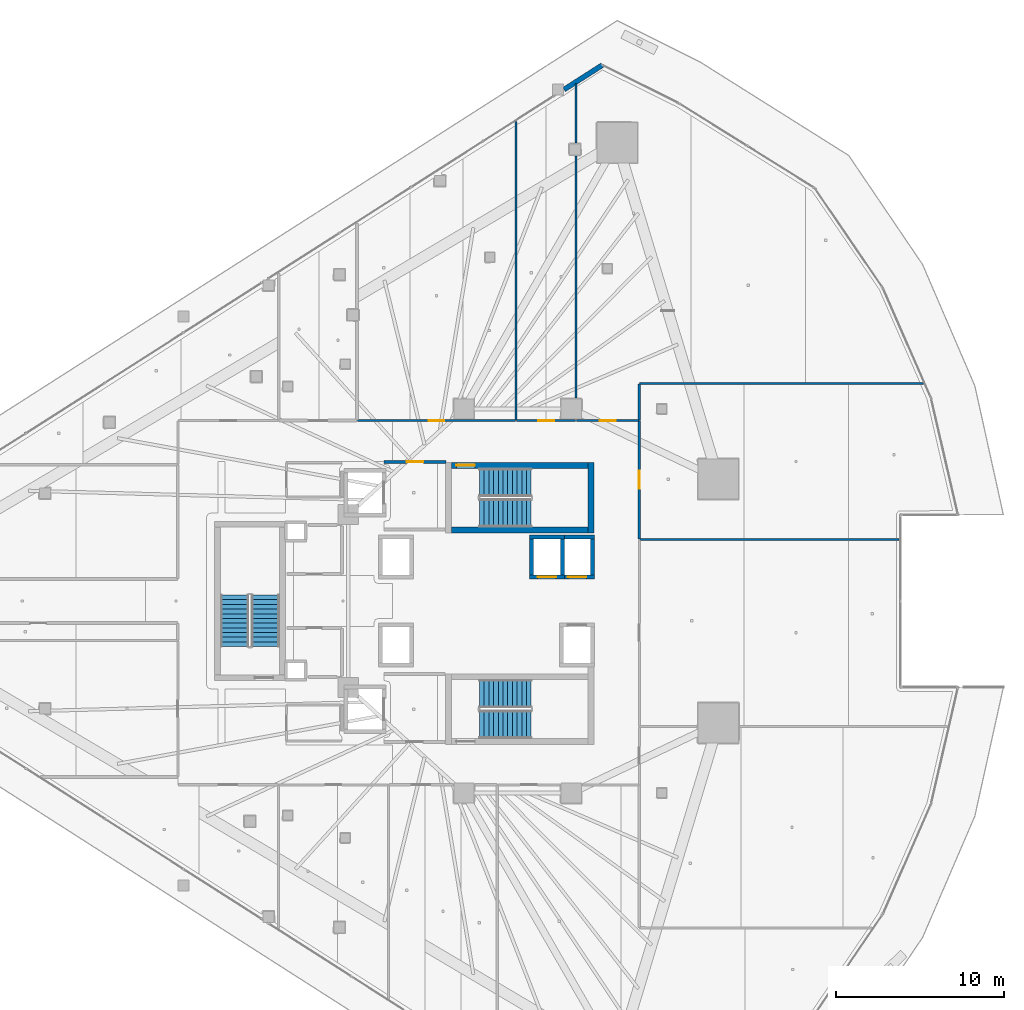
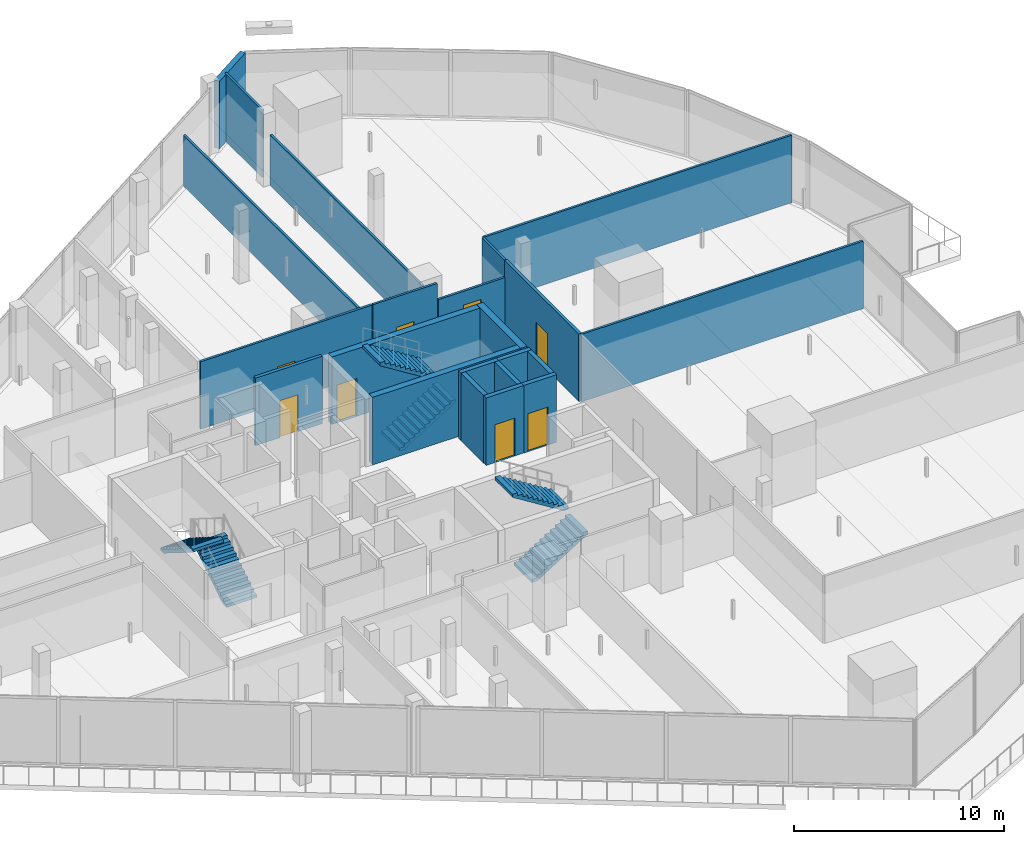
# One storey, part 32 of 46: 22 walls, 8 doors, 6 stair flights, 8 openings, 3 elements without a shape of their own.
"""IFC4 building model written with IfcOpenShell, lengths in metres."""

from ifc_helpers import new_model, si_unit, direction, frame, frame_2d, origin, place, context, subcontext, project, spatial, polyline, rectangle, outline, extrude, material, layer, layer_set, type_object, element, fill, aggregate, save


model = new_model("IFC4")

# Units and contexts
model_context = context("Model", 3, precision=1e-05, world=origin(), true_north=direction((0.0, 1.0)))
body_context = subcontext(model_context, "Body", "Model", "MODEL_VIEW")
ifc_project = project(units=[si_unit("LENGTHUNIT", "METRE"), si_unit("AREAUNIT", "SQUARE_METRE"), si_unit("VOLUMEUNIT", "CUBIC_METRE"), si_unit("PLANEANGLEUNIT", "RADIAN"), si_unit("MASSUNIT", "GRAM", prefix="KILO")], contexts=[model_context])

# Site, building, storey
site_placement = place(None, origin())
site = spatial("IfcSite", under=ifc_project, at=site_placement, CompositionType="ELEMENT")
building_placement = place(site_placement, origin())
building = spatial("IfcBuilding", under=site, at=building_placement, Name="Qorvath Tower", CompositionType="ELEMENT")
storey_placement = place(building_placement, frame((0.0, 0.0, 87.0)))
storey = spatial("IfcBuildingStorey", under=building, at=storey_placement, Name="L19", CompositionType="ELEMENT", Elevation=87.0)

# Wall, opening, door
ifc_material_1 = material(Name="Gypsum shaftliner on steel studs", Category="steel")
ifc_layer_1 = layer(ifc_material_1, 0.179931640625)
ifc_layer_set_1 = layer_set([ifc_layer_1], Name="FW-LOBBY")
wall_type_1 = type_object("IfcWallType", Name="FW-LOBBY", PredefinedType="PARTITIONING", material=ifc_layer_set_1)
wall_1_placement = place(storey_placement, frame((-24.68408203125, 8.300048828125, 0.0), z_axis=(0.0, 0.0, 1.0), x_axis=(-1.0, 0.0, 0.0)))
wall_1 = element("IfcWall", 1, at=wall_1_placement, inside=storey, type_object=wall_type_1, Name="Interior Partition IW-T1-L19-002", PredefinedType="PARTITIONING", context=body_context, shape_type="SweptSolid", body=[
    extrude(rectangle(XDim=3.6708984375, YDim=0.179931640625, at=frame_2d((1.83544921875, 0.0))), origin(), (0.0, 0.0, 1.0), 3.919921875),
])
opening_1_placement = place(wall_1_placement, frame((1.33544921875, 0.0, 0.0)))
opening_1 = element("IfcOpeningElement", 2, at=opening_1_placement, cuts=wall_1, Name="Opening D-T1-L19-18", PredefinedType="OPENING", context=body_context, shape_type="SweptSolid", body=[
    extrude(rectangle(XDim=1.0, YDim=2.14990234375, at=frame_2d((0.5, 1.074951171875))), frame((0.0, 0.10009765625, 0.0), z_axis=(0.0, -1.0, 0.0), x_axis=(1.0, 0.0, 0.0)), (0.0, 0.0, 1.0), 0.199951171875),
])
ifc_material_2 = material(Name="Painted galvanised hollow metal", Category="steel")
door_type_1 = type_object("IfcDoorType", Name="FD-60", OperationType="NOTDEFINED", PredefinedType="DOOR", material=ifc_material_2)
door_1_placement = place(opening_1_placement, origin())
door_1 = element("IfcDoor", 3, at=door_1_placement, inside=storey, type_object=door_type_1, Name="Lobby Fire Service Elevator North Door D-T1-L19-18", OperationType="SINGLE_SWING_LEFT", OverallHeight=2.14990234375, OverallWidth=1.0, PredefinedType="DOOR", context=body_context, shape_type="SweptSolid", body=[
    extrude(rectangle(XDim=1.0, YDim=2.14990234375, at=frame_2d((0.5, 1.074951171875))), frame((0.0, 0.02490234375, 0.0), z_axis=(0.0, -1.0, 0.0), x_axis=(1.0, 0.0, 0.0)), (0.0, 0.0, 1.0), 0.050048828125),
])
fill(opening_1, door_1)

ifc_material_3 = material(Name="Double acoustic gypsum board on steel studs", Category="steel")
ifc_layer_2 = layer(ifc_material_3, 0.159912109375)
ifc_layer_set_2 = layer_set([ifc_layer_2], Name="IW-ACOUSTIC-160")
wall_type_2 = type_object("IfcWallType", Name="IW-ACOUSTIC-160", PredefinedType="PARTITIONING", material=ifc_layer_set_2)
wall_2_placement = place(storey_placement, frame((-13.14208984375, 10.75830078125, 0.0), z_axis=(0.0, 0.0, 1.0), x_axis=(0.0, -1.0, 0.0)))
wall_2 = element("IfcWall", 4, at=wall_2_placement, inside=storey, type_object=wall_type_2, Name="Interior Partition IW-T1-L19-046", PredefinedType="PARTITIONING", context=body_context, shape_type="SweptSolid", body=[
    extrude(rectangle(XDim=7.0576171875, YDim=0.159912109375, at=frame_2d((3.52880859375, 0.0))), origin(), (0.0, 0.0, 1.0), 3.919921875),
])
opening_2_placement = place(wall_2_placement, frame((2.978759765625, 0.0, 0.0)))
opening_2 = element("IfcOpeningElement", 5, at=opening_2_placement, cuts=wall_2, Name="Opening D-T1-L19-14", PredefinedType="OPENING", context=body_context, shape_type="SweptSolid", body=[
    extrude(rectangle(XDim=1.10009765625, YDim=2.14990234375, at=frame_2d((0.550048828125, 1.074951171875))), frame((0.0, 0.08984375, 0.0), z_axis=(0.0, -1.0, 0.0), x_axis=(1.0, 0.0, 0.0)), (0.0, 0.0, 1.0), 0.179931640625),
])
ifc_material_4 = material(Name="Anodised aluminium acoustic framed glass", Category="aluminium")
door_type_2 = type_object("IfcDoorType", Name="D-03", OperationType="NOTDEFINED", PredefinedType="DOOR", material=ifc_material_4)
door_2_placement = place(opening_2_placement, origin())
door_2 = element("IfcDoor", 6, at=door_2_placement, inside=storey, type_object=door_type_2, Name="L19-10 Enclosed Conference Suite Door D-T1-L19-14", OperationType="SINGLE_SWING_LEFT", OverallHeight=2.14990234375, OverallWidth=1.10009765625, PredefinedType="DOOR", context=body_context, shape_type="SweptSolid", body=[
    extrude(rectangle(XDim=1.10009765625, YDim=2.14990234375, at=frame_2d((0.550048828125, 1.074951171875))), frame((0.0, 0.02490234375, 0.0), z_axis=(0.0, -1.0, 0.0), x_axis=(1.0, 0.0, 0.0)), (0.0, 0.0, 1.0), 0.050048828125),
])
fill(opening_2, door_2)

ifc_material_5 = material(Name="Gypsum board on metal studs with mineral wool", Category="gypsum")
ifc_layer_3 = layer(ifc_material_5, 0.125)
ifc_layer_set_3 = layer_set([ifc_layer_3], Name="IW-PART-125")
wall_type_3 = type_object("IfcWallType", Name="IW-PART-125", PredefinedType="PARTITIONING", material=ifc_layer_set_3)
wall_3_placement = place(storey_placement, frame((-29.94580078125, 10.758056640625, 0.0), z_axis=(0.0, 0.0, 1.0), x_axis=(1.0, 0.0, 0.0)))
wall_3 = element("IfcWall", 7, at=wall_3_placement, inside=storey, type_object=wall_type_3, Name="Interior Partition IW-T1-L19-023", PredefinedType="PARTITIONING", context=body_context, shape_type="SweptSolid", body=[
    extrude(rectangle(XDim=9.42138671875, YDim=0.125, at=frame_2d((4.710693359375, 0.0))), origin(), (0.0, 0.0, 1.0), 3.919921875),
])
opening_3_placement = place(wall_3_placement, frame((4.235595703125, 0.0, 0.0)))
opening_3 = element("IfcOpeningElement", 8, at=opening_3_placement, cuts=wall_3, Name="Opening D-T1-L19-06", PredefinedType="OPENING", context=body_context, shape_type="SweptSolid", body=[
    extrude(rectangle(XDim=0.949951171875, YDim=2.14990234375, at=frame_2d((0.47509765625, 1.074951171875))), frame((0.0, 0.072509765625, 0.0), z_axis=(0.0, -1.0, 0.0), x_axis=(1.0, 0.0, 0.0)), (0.0, 0.0, 1.0), 0.14501953125),
])
ifc_material_6 = material(Name="Solid-core American white oak veneer", Category="wood")
door_type_3 = type_object("IfcDoorType", Name="D-01", OperationType="NOTDEFINED", PredefinedType="DOOR", material=ifc_material_6)
door_3_placement = place(opening_3_placement, origin())
door_3 = element("IfcDoor", 9, at=door_3_placement, inside=storey, type_object=door_type_3, Name="L19-02 Project Collaboration Workspace Door D-T1-L19-06", OperationType="SINGLE_SWING_LEFT", OverallHeight=2.14990234375, OverallWidth=0.949951171875, PredefinedType="DOOR", context=body_context, shape_type="SweptSolid", body=[
    extrude(rectangle(XDim=0.949951171875, YDim=2.14990234375, at=frame_2d((0.47509765625, 1.074951171875))), frame((0.0, 0.02490234375, 0.0), z_axis=(0.0, -1.0, 0.0), x_axis=(1.0, 0.0, 0.0)), (0.0, 0.0, 1.0), 0.050048828125),
])
fill(opening_3, door_3)

# Wall
wall_4_placement = place(storey_placement, frame((-20.499267578125, 10.783203125, 0.0), z_axis=(0.0, 0.0, 1.0), x_axis=(-0.000246947448, 0.999999969508, 0.0)))
element("IfcWall", 10, at=wall_4_placement, inside=storey, type_object=wall_type_3, Name="Interior Partition IW-T1-L19-024", PredefinedType="PARTITIONING", context=body_context, shape_type="SweptSolid", body=[
    extrude(rectangle(XDim=17.79541015625, YDim=0.125, at=frame_2d((8.897705078125, 0.0))), origin(), (0.0, 0.0, 1.0), 2.956787109375),
])

# Wall, opening, door
wall_5_placement = place(storey_placement, frame((-20.46630859375, 10.758056640625, 0.0), z_axis=(0.0, 0.0, 1.0), x_axis=(1.0, 0.0, 0.0)))
wall_5 = element("IfcWall", 11, at=wall_5_placement, inside=storey, type_object=wall_type_3, Name="Interior Partition IW-T1-L19-025", PredefinedType="PARTITIONING", context=body_context, shape_type="SweptSolid", body=[
    extrude(rectangle(XDim=3.522705078125, YDim=0.125, at=frame_2d((1.76123046875, 0.0))), origin(), (0.0, 0.0, 1.0), 3.919921875),
])
opening_4_placement = place(wall_5_placement, frame((1.286376953125, 0.0, 0.0)))
opening_4 = element("IfcOpeningElement", 12, at=opening_4_placement, cuts=wall_5, Name="Opening D-T1-L19-07", PredefinedType="OPENING", context=body_context, shape_type="SweptSolid", body=[
    extrude(rectangle(XDim=0.949951171875, YDim=2.14990234375, at=frame_2d((0.47509765625, 1.074951171875))), frame((0.0, 0.072509765625, 0.0), z_axis=(0.0, -1.0, 0.0), x_axis=(1.0, 0.0, 0.0)), (0.0, 0.0, 1.0), 0.14501953125),
])
door_4_placement = place(opening_4_placement, origin())
door_4 = element("IfcDoor", 13, at=door_4_placement, inside=storey, type_object=door_type_3, Name="L19-03 Design Pin-Up Atelier Door D-T1-L19-07", OperationType="SINGLE_SWING_RIGHT", OverallHeight=2.14990234375, OverallWidth=0.949951171875, PredefinedType="DOOR", context=body_context, shape_type="SweptSolid", body=[
    extrude(rectangle(XDim=0.949951171875, YDim=2.14990234375, at=frame_2d((0.47509765625, 1.074951171875))), frame((0.0, 0.02490234375, 0.0), z_axis=(0.0, -1.0, 0.0), x_axis=(1.0, 0.0, 0.0)), (0.0, 0.0, 1.0), 0.050048828125),
])
fill(opening_4, door_4)

# Walls
wall_6_placement = place(storey_placement, frame((-16.918701171875, 12.114990234375, 0.0), z_axis=(0.0, 0.0, 1.0), x_axis=(0.0, 1.0, 0.0)))
element("IfcWall", 14, at=wall_6_placement, inside=storey, type_object=wall_type_3, Name="Interior Partition IW-T1-L19-026", PredefinedType="PARTITIONING", context=body_context, shape_type="SweptSolid", body=[
    extrude(rectangle(XDim=14.42431640625, YDim=0.125, at=frame_2d((7.212158203125, 0.0))), origin(), (0.0, 0.0, 1.0), 2.956787109375),
])
wall_7_placement = place(storey_placement, frame((-16.918701171875, 27.319091796875, 0.0), z_axis=(0.0, 0.0, 1.0), x_axis=(0.0, 1.0, 0.0)))
element("IfcWall", 15, at=wall_7_placement, inside=storey, type_object=wall_type_3, Name="Interior Partition IW-T1-L19-027", PredefinedType="PARTITIONING", context=body_context, shape_type="SweptSolid", body=[
    extrude(rectangle(XDim=3.55078125, YDim=0.125, at=frame_2d((1.775390625, 0.0))), origin(), (0.0, 0.0, 1.0), 3.919921875),
])

# Wall, opening, door
wall_8_placement = place(storey_placement, frame((-16.885498046875, 10.758056640625, 0.0), z_axis=(0.0, 0.0, 1.0), x_axis=(1.0, 0.0, 0.0)))
wall_8 = element("IfcWall", 16, at=wall_8_placement, inside=storey, type_object=wall_type_3, Name="Interior Partition IW-T1-L19-028", PredefinedType="PARTITIONING", context=body_context, shape_type="SweptSolid", body=[
    extrude(rectangle(XDim=3.710693359375, YDim=0.125, at=frame_2d((1.85546875, 0.0))), origin(), (0.0, 0.0, 1.0), 2.956787109375),
])
opening_5_placement = place(wall_8_placement, frame((1.38037109375, 0.0, 0.0)))
opening_5 = element("IfcOpeningElement", 17, at=opening_5_placement, cuts=wall_8, Name="Opening D-T1-L19-08", PredefinedType="OPENING", context=body_context, shape_type="SweptSolid", body=[
    extrude(rectangle(XDim=0.949951171875, YDim=2.14990234375, at=frame_2d((0.47509765625, 1.074951171875))), frame((0.0, 0.072509765625, 0.0), z_axis=(0.0, -1.0, 0.0), x_axis=(1.0, 0.0, 0.0)), (0.0, 0.0, 1.0), 0.14501953125),
])
door_5_placement = place(opening_5_placement, origin())
door_5 = element("IfcDoor", 18, at=door_5_placement, inside=storey, type_object=door_type_3, Name="L19-04 Executive Partner Office Door D-T1-L19-08", OperationType="SINGLE_SWING_LEFT", OverallHeight=2.14990234375, OverallWidth=0.949951171875, PredefinedType="DOOR", context=body_context, shape_type="SweptSolid", body=[
    extrude(rectangle(XDim=0.949951171875, YDim=2.14990234375, at=frame_2d((0.47509765625, 1.074951171875))), frame((0.0, 0.02490234375, 0.0), z_axis=(0.0, -1.0, 0.0), x_axis=(1.0, 0.0, 0.0)), (0.0, 0.0, 1.0), 0.050048828125),
])
fill(opening_5, door_5)

# Walls
wall_9_placement = place(storey_placement, frame((-13.14990234375, 12.934814453125, 0.0), z_axis=(0.0, 0.0, 1.0), x_axis=(0.0, -1.0, 0.0)))
element("IfcWall", 19, at=wall_9_placement, inside=storey, type_object=wall_type_3, Name="Interior Partition IW-T1-L19-029", PredefinedType="PARTITIONING", context=body_context, shape_type="SweptSolid", body=[
    extrude(rectangle(XDim=2.151611328125, YDim=0.125, at=frame_2d((1.07568359375, 0.0))), origin(), (0.0, 0.0, 1.0), 3.919921875),
])
wall_10_placement = place(storey_placement, frame((-13.125, 12.959716796875, 0.0), z_axis=(0.0, 0.0, 1.0), x_axis=(0.999999707657, 0.000764647101, 0.0)))
element("IfcWall", 20, at=wall_10_placement, inside=storey, type_object=wall_type_3, Name="Interior Partition IW-T1-L19-030", PredefinedType="PARTITIONING", context=body_context, shape_type="SweptSolid", body=[
    extrude(rectangle(XDim=16.922119140625, YDim=0.125, at=frame_2d((8.4609375, 0.0))), origin(), (0.0, 0.0, 1.0), 3.919921875),
])
wall_11_placement = place(storey_placement, frame((2.35400390625, 3.66796875, 0.0), z_axis=(0.0, 0.0, 1.0), x_axis=(-1.0, 0.0, 0.0)))
element("IfcWall", 21, at=wall_11_placement, inside=storey, type_object=wall_type_3, Name="Interior Partition IW-T1-L19-044", PredefinedType="PARTITIONING", context=body_context, shape_type="SweptSolid", body=[
    extrude(rectangle(XDim=15.47119140625, YDim=0.125, at=frame_2d((7.735595703125, 0.0))), origin(), (0.0, 0.0, 1.0), 3.919921875),
])

# Wall, opening, door
ifc_material_7 = material(Name="Concrete C60/75", Category="concrete")
ifc_layer_4 = layer(ifc_material_7, 0.260009765625)
ifc_layer_set_4 = layer_set([ifc_layer_4], Name="SW-SHAFT")
wall_type_4 = type_object("IfcWallType", Name="SW-SHAFT", PredefinedType="SHEAR", material=ifc_layer_set_4)
wall_12_placement = place(storey_placement, frame((-17.610107421875, 1.429931640625, 0.0), z_axis=(0.0, 0.0, 1.0), x_axis=(-1.0, 0.0, 0.0)))
wall_12 = element("IfcWall", 22, at=wall_12_placement, inside=storey, type_object=wall_type_4, Name="Hoistway Wall PL-1 L19 S", PredefinedType="SHEAR", context=body_context, shape_type="SweptSolid", body=[
    extrude(rectangle(XDim=2.079833984375, YDim=0.239990234375, at=frame_2d((1.0400390625, 0.0))), origin(), (0.0, 0.0, 1.0), 3.919921875),
])
opening_6_placement = place(wall_12_placement, frame((0.48974609375, 0.0, 0.0)))
opening_6 = element("IfcOpeningElement", 23, at=opening_6_placement, cuts=wall_12, Name="Opening LD-PL-1-L19", PredefinedType="OPENING", context=body_context, shape_type="SweptSolid", body=[
    extrude(rectangle(XDim=1.10009765625, YDim=2.199951171875, at=frame_2d((0.550048828125, 1.10009765625))), frame((0.0, 0.1298828125, 0.0), z_axis=(0.0, -1.0, 0.0), x_axis=(1.0, 0.0, 0.0)), (0.0, 0.0, 1.0), 0.260009765625),
])
ifc_material_8 = material(Name="Brushed stainless steel AISI 316", Category="steel")
door_type_4 = type_object("IfcDoorType", Name="LD-01", OperationType="NOTDEFINED", PredefinedType="DOOR", material=ifc_material_8)
door_6_placement = place(opening_6_placement, origin())
door_6 = element("IfcDoor", 24, at=door_6_placement, inside=storey, type_object=door_type_4, Name="Elevator Landing Sliding Door LD-PL-1-L19", OperationType="DOUBLE_DOOR_SLIDING", OverallHeight=2.199951171875, OverallWidth=1.10009765625, PredefinedType="DOOR", context=body_context, shape_type="SweptSolid", body=[
    extrude(rectangle(XDim=1.10009765625, YDim=2.199951171875, at=frame_2d((0.550048828125, 1.10009765625))), frame((0.0, 0.02490234375, 0.0), z_axis=(0.0, -1.0, 0.0), x_axis=(1.0, 0.0, 0.0)), (0.0, 0.0, 1.0), 0.050048828125),
])
fill(opening_6, door_6)

# Walls
wall_13_placement = place(storey_placement, frame((-19.68994140625, 3.820068359375, 0.0), z_axis=(0.0, 0.0, 1.0), x_axis=(1.0, 0.0, 0.0)))
element("IfcWall", 25, at=wall_13_placement, inside=storey, type_object=wall_type_4, Name="Hoistway Wall PL-1 L19 N", PredefinedType="SHEAR", context=body_context, shape_type="SweptSolid", body=[
    extrude(rectangle(XDim=2.079833984375, YDim=0.239990234375, at=frame_2d((1.0400390625, 0.0))), origin(), (0.0, 0.0, 1.0), 3.919921875),
])
for number, where, z_axis, x_axis, name in (
    (26, (-19.570068359375, 1.56201171875, 0.0), (0.0, 0.0, 1.0), (0.0, 1.0, 0.0), "Hoistway Wall PL-1 L19 W"),
    (27, (-17.72998046875, 3.68798828125, 0.0), (0.0, 0.0, 1.0), (0.0, -1.0, 0.0), "Hoistway Wall PL-1 L19 E"),
):
    element("IfcWall", number, at=place(storey_placement, frame(where, z_axis=z_axis, x_axis=x_axis)), inside=storey, type_object=wall_type_4, Name=name, PredefinedType="SHEAR", context=body_context, shape_type="SweptSolid", body=[
        extrude(rectangle(XDim=2.1259765625, YDim=0.239990234375, at=frame_2d((1.06298828125, 0.0))), origin(), (0.0, 0.0, 1.0), 3.919921875),
    ])

# Wall, opening, door
wall_14_placement = place(storey_placement, frame((-15.81005859375, 1.429931640625, 0.0), z_axis=(0.0, 0.0, 1.0), x_axis=(-1.0, 0.0, 0.0)))
wall_14 = element("IfcWall", 28, at=wall_14_placement, inside=storey, type_object=wall_type_4, Name="Hoistway Wall PL-3 L19 S", PredefinedType="SHEAR", context=body_context, shape_type="SweptSolid", body=[
    extrude(rectangle(XDim=1.800048828125, YDim=0.239990234375, at=frame_2d((0.89990234375, 0.0))), origin(), (0.0, 0.0, 1.0), 3.919921875),
])
opening_7_placement = place(wall_14_placement, frame((0.489990234375, 0.0, 0.0)))
opening_7 = element("IfcOpeningElement", 29, at=opening_7_placement, cuts=wall_14, Name="Opening LD-PL-3-L19", PredefinedType="OPENING", context=body_context, shape_type="SweptSolid", body=[
    extrude(rectangle(XDim=1.10009765625, YDim=2.199951171875, at=frame_2d((0.550048828125, 1.10009765625))), frame((0.0, 0.1298828125, 0.0), z_axis=(0.0, -1.0, 0.0), x_axis=(1.0, 0.0, 0.0)), (0.0, 0.0, 1.0), 0.260009765625),
])
door_7_placement = place(opening_7_placement, origin())
door_7 = element("IfcDoor", 30, at=door_7_placement, inside=storey, type_object=door_type_4, Name="Elevator Landing Sliding Door LD-PL-3-L19", OperationType="DOUBLE_DOOR_SLIDING", OverallHeight=2.199951171875, OverallWidth=1.10009765625, PredefinedType="DOOR", context=body_context, shape_type="SweptSolid", body=[
    extrude(rectangle(XDim=1.10009765625, YDim=2.199951171875, at=frame_2d((0.550048828125, 1.10009765625))), frame((0.0, 0.02490234375, 0.0), z_axis=(0.0, -1.0, 0.0), x_axis=(1.0, 0.0, 0.0)), (0.0, 0.0, 1.0), 0.050048828125),
])
fill(opening_7, door_7)

# Walls
wall_15_placement = place(storey_placement, frame((-17.610107421875, 3.820068359375, 0.0), z_axis=(0.0, 0.0, 1.0), x_axis=(1.0, 0.0, 0.0)))
element("IfcWall", 31, at=wall_15_placement, inside=storey, type_object=wall_type_4, Name="Hoistway Wall PL-3 L19 N", PredefinedType="SHEAR", context=body_context, shape_type="SweptSolid", body=[
    extrude(rectangle(XDim=1.800048828125, YDim=0.239990234375, at=frame_2d((0.89990234375, 0.0))), origin(), (0.0, 0.0, 1.0), 3.919921875),
])
wall_16_placement = place(storey_placement, frame((-15.929931640625, 3.68798828125, 0.0), z_axis=(0.0, 0.0, 1.0), x_axis=(0.0, -1.0, 0.0)))
element("IfcWall", 32, at=wall_16_placement, inside=storey, type_object=wall_type_4, Name="Hoistway Wall PL-3 L19 E", PredefinedType="SHEAR", context=body_context, shape_type="SweptSolid", body=[
    extrude(rectangle(XDim=2.1259765625, YDim=0.239990234375, at=frame_2d((1.06298828125, 0.0))), origin(), (0.0, 0.0, 1.0), 3.919921875),
])
ifc_material_9 = material(Name="Concrete C60/75", Category="concrete")
ifc_layer_5 = layer(ifc_material_9, 0.35009765625)
ifc_layer_set_5 = layer_set([ifc_layer_5], Name="SW-STAIR")
wall_type_5 = type_object("IfcWallType", Name="SW-STAIR", PredefinedType="SHEAR", material=ifc_layer_set_5)
wall_17_placement = place(storey_placement, frame((-16.02490234375, 4.050048828125, 0.0), z_axis=(0.0, 0.0, 1.0), x_axis=(0.0, 1.0, 0.0)))
element("IfcWall", 33, at=wall_17_placement, inside=storey, type_object=wall_type_5, Name="Stair TS1 Shear Wall L19 FAR", PredefinedType="SHEAR", context=body_context, shape_type="SweptSolid", body=[
    extrude(rectangle(XDim=4.2099609375, YDim=0.35009765625, at=frame_2d((2.10498046875, 0.0))), origin(), (0.0, 0.0, 1.0), 3.919921875),
])
wall_18_placement = place(storey_placement, frame((-24.3349609375, 4.22509765625, 0.0), z_axis=(0.0, 0.0, 1.0), x_axis=(1.0, 0.0, 0.0)))
element("IfcWall", 34, at=wall_18_placement, inside=storey, type_object=wall_type_5, Name="Stair TS1 Shear Wall L19 LEFT", PredefinedType="SHEAR", context=body_context, shape_type="SweptSolid", body=[
    extrude(rectangle(XDim=8.119873046875, YDim=0.35009765625, at=frame_2d((4.06005859375, 0.0))), origin(), (0.0, 0.0, 1.0), 3.919921875),
])

# Wall, opening, door
wall_19_placement = place(storey_placement, frame((-16.215087890625, 8.0849609375, 0.0), z_axis=(0.0, 0.0, 1.0), x_axis=(-1.0, 0.0, 0.0)))
wall_19 = element("IfcWall", 35, at=wall_19_placement, inside=storey, type_object=wall_type_5, Name="Stair TS1 Shear Wall L19 RIGHT", PredefinedType="SHEAR", context=body_context, shape_type="SweptSolid", body=[
    extrude(rectangle(XDim=8.119873046875, YDim=0.35009765625, at=frame_2d((4.06005859375, 0.0))), origin(), (0.0, 0.0, 1.0), 3.919921875),
])
opening_8_placement = place(wall_19_placement, frame((6.739990234375, 0.0, 0.0)))
opening_8 = element("IfcOpeningElement", 36, at=opening_8_placement, cuts=wall_19, Name="Opening D-TS1-L19", PredefinedType="OPENING", context=body_context, shape_type="SweptSolid", body=[
    extrude(rectangle(XDim=1.10009765625, YDim=2.199951171875, at=frame_2d((0.550048828125, 1.10009765625))), frame((0.0, 0.18505859375, 0.0), z_axis=(0.0, -1.0, 0.0), x_axis=(1.0, 0.0, 0.0)), (0.0, 0.0, 1.0), 0.3701171875),
])
ifc_material_10 = material(Name="Painted galvanised hollow metal", Category="steel")
door_type_5 = type_object("IfcDoorType", Name="FD-90", OperationType="NOTDEFINED", PredefinedType="DOOR", material=ifc_material_10)
door_8_placement = place(opening_8_placement, origin())
door_8 = element("IfcDoor", 37, at=door_8_placement, inside=storey, type_object=door_type_5, Name="Stair TS1 Fire Door L19", OperationType="SINGLE_SWING_RIGHT", OverallHeight=2.199951171875, OverallWidth=1.10009765625, PredefinedType="DOOR", context=body_context, shape_type="SweptSolid", body=[
    extrude(rectangle(XDim=1.10009765625, YDim=2.199951171875, at=frame_2d((0.550048828125, 1.10009765625))), frame((0.0, 0.02490234375, 0.0), z_axis=(0.0, -1.0, 0.0), x_axis=(1.0, 0.0, 0.0)), (0.0, 0.0, 1.0), 0.050048828125),
])
fill(opening_8, door_8)

# Wall
ifc_material_11 = material(Name="Precast concrete C45/55", Category="concrete")
ifc_layer_6 = layer(ifc_material_11, 0.300048828125)
ifc_layer_set_6 = layer_set([ifc_layer_6], Name="WL-EW-LOG-300")
wall_type_6 = type_object("IfcWallType", Name="WL-EW-LOG-300", PredefinedType="SOLIDWALL", material=ifc_layer_set_6)
wall_20_placement = place(storey_placement, frame((-17.6298828125, 30.4951171875, 0.0), z_axis=(0.0, 0.0, 1.0), x_axis=(0.842579175028, 0.538572496336, 0.0)))
element("IfcWall", 38, at=wall_20_placement, inside=storey, type_object=wall_type_6, Name="Tower Precast Loggia Wall L19-16.1", PredefinedType="SOLIDWALL", context=body_context, shape_type="SweptSolid", body=[
    extrude(rectangle(XDim=2.707275390625, YDim=0.300048828125, at=frame_2d((1.353515625, 0.0))), origin(), (0.0, 0.0, 1.0), 3.919921875),
])

# Stair, stair flights
ifc_material_12 = material(Name="Concrete C50/60", Category="concrete")
stair_type = type_object("IfcStairType", Name="ST-H420", PredefinedType="HALF_TURN_STAIR", material=ifc_material_12)
stair_1_placement = place(storey_placement, origin())
stair_1 = element("IfcStair", 39, at=stair_1_placement, inside=storey, type_object=stair_type, Name="L19 Tower Exit Stair 1", PredefinedType="HALF_TURN_STAIR")
ifc_material_13 = material(Name="Concrete C50/60", Category="concrete")
ifc_layer_7 = layer(ifc_material_13, 0.14990234375)
ifc_layer_set_7 = layer_set([ifc_layer_7], Name="SF-H420")
stair_flight_type = type_object("IfcStairFlightType", Name="SF-H420", PredefinedType="STRAIGHT", material=ifc_layer_set_7)
stair_flight_1_placement = place(storey_placement, frame((-22.669921875, 5.239990234375, 0.0), z_axis=(0.0, 0.0, 1.0), x_axis=(1.0, 0.0, 0.0)))
stair_flight_1 = element("IfcStairFlight", 40, at=stair_flight_1_placement, type_object=stair_flight_type, Name="TS1 flight 1", NumberOfRisers=12, NumberOfTreads=11, PredefinedType="STRAIGHT", RiserHeight=0.175, TreadLength=0.28, context=body_context, shape_type="SweptSolid", body=[
    extrude(outline(polyline([(0.0, 0.0), (0.0, 0.175048828125), (0.280029296875, 0.175048828125), (0.280029296875, 0.35009765625), (0.56005859375, 0.35009765625), (0.56005859375, 0.52490234375), (0.840087890625, 0.52490234375), (0.840087890625, 0.699951171875), (1.1201171875, 0.699951171875), (1.1201171875, 0.875), (1.39990234375, 0.875), (1.39990234375, 1.050048828125), (1.679931640625, 1.050048828125), (1.679931640625, 1.22509765625), (1.9599609375, 1.22509765625), (1.9599609375, 1.39990234375), (2.239990234375, 1.39990234375), (2.239990234375, 1.574951171875), (2.52001953125, 1.574951171875), (2.52001953125, 1.75), (2.800048828125, 1.75), (2.800048828125, 1.925048828125), (3.080078125, 1.925048828125), (3.080078125, 2.10009765625), (3.080078125, 1.748291015625), (0.28271484375, 0.0), (0.0, 0.0)])), frame((0.0, 0.83984375, 0.0), z_axis=(0.0, -1.0, 0.0), x_axis=(1.0, 0.0, 0.0)), (0.0, 0.0, 1.0), 1.679931640625),
])
stair_flight_2_placement = place(storey_placement, frame((-19.590087890625, 7.070068359375, 2.10009765625), z_axis=(0.0, 0.0, 1.0), x_axis=(-1.0, 0.0, 0.0)))
stair_flight_2 = element("IfcStairFlight", 41, at=stair_flight_2_placement, type_object=stair_flight_type, Name="TS1 flight 2", NumberOfRisers=12, NumberOfTreads=11, PredefinedType="STRAIGHT", RiserHeight=0.175, TreadLength=0.28, context=body_context, shape_type="SweptSolid", body=[
    extrude(outline(polyline([(0.0, 0.0), (0.0, 0.175048828125), (0.280029296875, 0.175048828125), (0.280029296875, 0.35009765625), (0.56005859375, 0.35009765625), (0.56005859375, 0.52490234375), (0.840087890625, 0.52490234375), (0.840087890625, 0.699951171875), (1.1201171875, 0.699951171875), (1.1201171875, 0.875), (1.39990234375, 0.875), (1.39990234375, 1.050048828125), (1.679931640625, 1.050048828125), (1.679931640625, 1.22509765625), (1.9599609375, 1.22509765625), (1.9599609375, 1.39990234375), (2.239990234375, 1.39990234375), (2.239990234375, 1.574951171875), (2.52001953125, 1.574951171875), (2.52001953125, 1.75), (2.800048828125, 1.75), (2.800048828125, 1.925048828125), (3.080078125, 1.925048828125), (3.080078125, 2.10009765625), (3.080078125, 1.748291015625), (0.28271484375, 0.0), (0.0, 0.0)])), frame((0.0, 0.83984375, 0.0), z_axis=(0.0, -1.0, 0.0), x_axis=(1.0, 0.0, 0.0)), (0.0, 0.0, 1.0), 1.679931640625),
])
aggregate(stair_1, [stair_flight_1, stair_flight_2])

stair_2_placement = place(storey_placement, origin())
stair_2 = element("IfcStair", 42, at=stair_2_placement, inside=storey, type_object=stair_type, Name="L19 Tower Exit Stair 2", PredefinedType="HALF_TURN_STAIR")
stair_flight_3_placement = place(storey_placement, frame((-22.669921875, -7.360107421875, 0.0), z_axis=(0.0, 0.0, 1.0), x_axis=(1.0, 0.0, 0.0)))
stair_flight_3 = element("IfcStairFlight", 43, at=stair_flight_3_placement, type_object=stair_flight_type, Name="TS2 flight 1", NumberOfRisers=12, NumberOfTreads=11, PredefinedType="STRAIGHT", RiserHeight=0.175, TreadLength=0.28, context=body_context, shape_type="SweptSolid", body=[
    extrude(outline(polyline([(0.0, 0.0), (0.0, 0.175048828125), (0.280029296875, 0.175048828125), (0.280029296875, 0.35009765625), (0.56005859375, 0.35009765625), (0.56005859375, 0.52490234375), (0.840087890625, 0.52490234375), (0.840087890625, 0.699951171875), (1.1201171875, 0.699951171875), (1.1201171875, 0.875), (1.39990234375, 0.875), (1.39990234375, 1.050048828125), (1.679931640625, 1.050048828125), (1.679931640625, 1.22509765625), (1.9599609375, 1.22509765625), (1.9599609375, 1.39990234375), (2.239990234375, 1.39990234375), (2.239990234375, 1.574951171875), (2.52001953125, 1.574951171875), (2.52001953125, 1.75), (2.800048828125, 1.75), (2.800048828125, 1.925048828125), (3.080078125, 1.925048828125), (3.080078125, 2.10009765625), (3.080078125, 1.748291015625), (0.28271484375, 0.0), (0.0, 0.0)])), frame((0.0, 0.83984375, 0.0), z_axis=(0.0, -1.0, 0.0), x_axis=(1.0, 0.0, 0.0)), (0.0, 0.0, 1.0), 1.679931640625),
])
stair_flight_4_placement = place(storey_placement, frame((-19.590087890625, -5.530029296875, 2.10009765625), z_axis=(0.0, 0.0, 1.0), x_axis=(-1.0, 0.0, 0.0)))
stair_flight_4 = element("IfcStairFlight", 44, at=stair_flight_4_placement, type_object=stair_flight_type, Name="TS2 flight 2", NumberOfRisers=12, NumberOfTreads=11, PredefinedType="STRAIGHT", RiserHeight=0.175, TreadLength=0.28, context=body_context, shape_type="SweptSolid", body=[
    extrude(outline(polyline([(0.0, 0.0), (0.0, 0.175048828125), (0.280029296875, 0.175048828125), (0.280029296875, 0.35009765625), (0.56005859375, 0.35009765625), (0.56005859375, 0.52490234375), (0.840087890625, 0.52490234375), (0.840087890625, 0.699951171875), (1.1201171875, 0.699951171875), (1.1201171875, 0.875), (1.39990234375, 0.875), (1.39990234375, 1.050048828125), (1.679931640625, 1.050048828125), (1.679931640625, 1.22509765625), (1.9599609375, 1.22509765625), (1.9599609375, 1.39990234375), (2.239990234375, 1.39990234375), (2.239990234375, 1.574951171875), (2.52001953125, 1.574951171875), (2.52001953125, 1.75), (2.800048828125, 1.75), (2.800048828125, 1.925048828125), (3.080078125, 1.925048828125), (3.080078125, 2.10009765625), (3.080078125, 1.748291015625), (0.28271484375, 0.0), (0.0, 0.0)])), frame((0.0, 0.83984375, 0.0), z_axis=(0.0, -1.0, 0.0), x_axis=(1.0, 0.0, 0.0)), (0.0, 0.0, 1.0), 1.679931640625),
])
aggregate(stair_2, [stair_flight_3, stair_flight_4])

stair_3_placement = place(storey_placement, origin())
stair_3 = element("IfcStair", 45, at=stair_3_placement, inside=storey, type_object=stair_type, Name="L19 Tower Exit Stair 3", PredefinedType="HALF_TURN_STAIR")
stair_flight_5_placement = place(storey_placement, frame((-35.43994140625, -2.719970703125, 0.0), z_axis=(0.0, 0.0, 1.0), x_axis=(0.0, 1.0, 0.0)))
stair_flight_5 = element("IfcStairFlight", 46, at=stair_flight_5_placement, type_object=stair_flight_type, Name="TS3 flight 1", NumberOfRisers=12, NumberOfTreads=11, PredefinedType="STRAIGHT", RiserHeight=0.175, TreadLength=0.28, context=body_context, shape_type="SweptSolid", body=[
    extrude(outline(polyline([(0.0, 0.0), (0.0, 0.175048828125), (0.280029296875, 0.175048828125), (0.280029296875, 0.35009765625), (0.56005859375, 0.35009765625), (0.56005859375, 0.52490234375), (0.840087890625, 0.52490234375), (0.840087890625, 0.699951171875), (1.1201171875, 0.699951171875), (1.1201171875, 0.875), (1.39990234375, 0.875), (1.39990234375, 1.050048828125), (1.679931640625, 1.050048828125), (1.679931640625, 1.22509765625), (1.9599609375, 1.22509765625), (1.9599609375, 1.39990234375), (2.239990234375, 1.39990234375), (2.239990234375, 1.574951171875), (2.52001953125, 1.574951171875), (2.52001953125, 1.75), (2.800048828125, 1.75), (2.800048828125, 1.925048828125), (3.080078125, 1.925048828125), (3.080078125, 2.10009765625), (3.080078125, 1.748291015625), (0.28271484375, 0.0), (0.0, 0.0)])), frame((0.0, 0.83984375, 0.0), z_axis=(0.0, -1.0, 0.0), x_axis=(1.0, 0.0, 0.0)), (0.0, 0.0, 1.0), 1.679931640625),
])
stair_flight_6_placement = place(storey_placement, frame((-37.27001953125, 0.360107421875, 2.10009765625), z_axis=(0.0, 0.0, 1.0), x_axis=(0.0, -1.0, 0.0)))
stair_flight_6 = element("IfcStairFlight", 47, at=stair_flight_6_placement, type_object=stair_flight_type, Name="TS3 flight 2", NumberOfRisers=12, NumberOfTreads=11, PredefinedType="STRAIGHT", RiserHeight=0.175, TreadLength=0.28, context=body_context, shape_type="SweptSolid", body=[
    extrude(outline(polyline([(0.0, 0.0), (0.0, 0.175048828125), (0.280029296875, 0.175048828125), (0.280029296875, 0.35009765625), (0.56005859375, 0.35009765625), (0.56005859375, 0.52490234375), (0.840087890625, 0.52490234375), (0.840087890625, 0.699951171875), (1.1201171875, 0.699951171875), (1.1201171875, 0.875), (1.39990234375, 0.875), (1.39990234375, 1.050048828125), (1.679931640625, 1.050048828125), (1.679931640625, 1.22509765625), (1.9599609375, 1.22509765625), (1.9599609375, 1.39990234375), (2.239990234375, 1.39990234375), (2.239990234375, 1.574951171875), (2.52001953125, 1.574951171875), (2.52001953125, 1.75), (2.800048828125, 1.75), (2.800048828125, 1.925048828125), (3.080078125, 1.925048828125), (3.080078125, 2.10009765625), (3.080078125, 1.748291015625), (0.28271484375, 0.0), (0.0, 0.0)])), frame((0.0, 0.83984375, 0.0), z_axis=(0.0, -1.0, 0.0), x_axis=(1.0, 0.0, 0.0)), (0.0, 0.0, 1.0), 1.679931640625),
])
aggregate(stair_3, [stair_flight_5, stair_flight_6])

save(model, "model.ifc")
